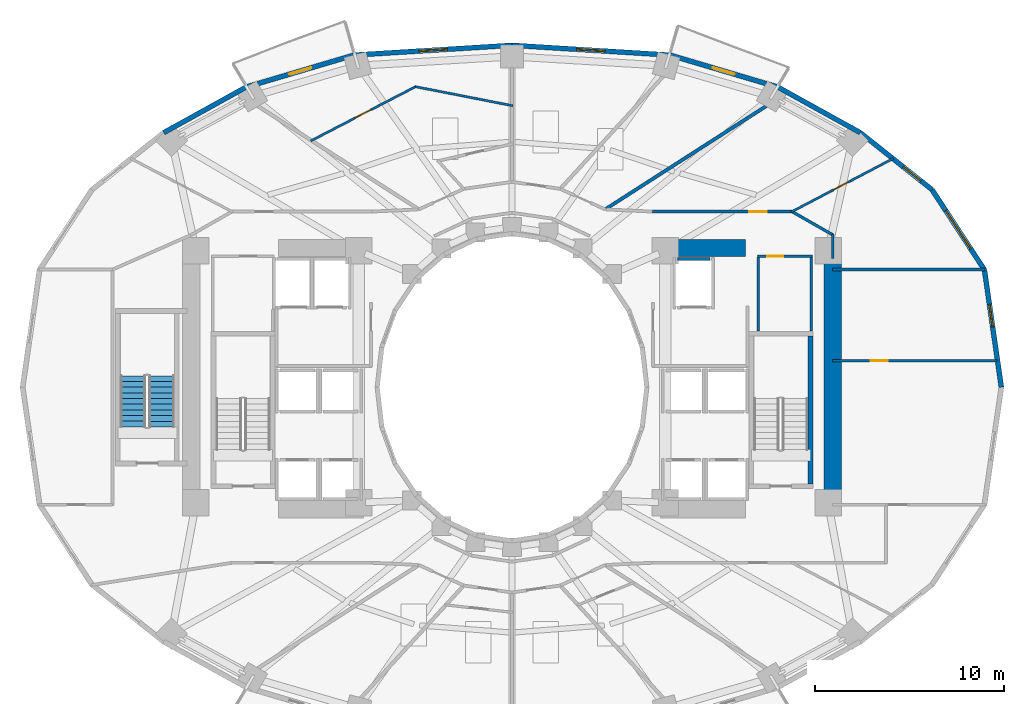
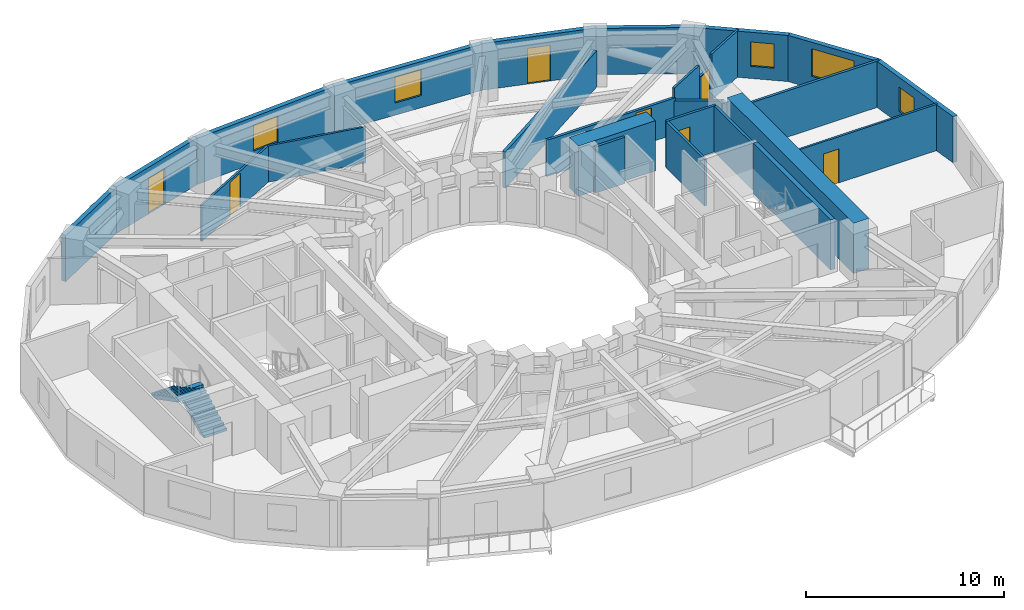
# One storey, part 7 of 11: 27 walls, 7 doors, 5 windows, 2 stair flights, 12 openings, 1 element without a shape of its own.
"""IFC4 building model written with IfcOpenShell, lengths in metres."""

from ifc_helpers import new_model, si_unit, direction, frame, frame_2d, origin, place, context, subcontext, project, spatial, polyline, rectangle, outline, extrude, material, layer, layer_set, type_object, element, fill, aggregate, save


model = new_model("IFC4")

# Units and contexts
model_context = context("Model", 3, precision=1e-05, world=origin(), true_north=direction((0.0, 1.0)))
body_context = subcontext(model_context, "Body", "Model", "MODEL_VIEW")
ifc_project = project(units=[si_unit("LENGTHUNIT", "METRE"), si_unit("AREAUNIT", "SQUARE_METRE"), si_unit("VOLUMEUNIT", "CUBIC_METRE"), si_unit("PLANEANGLEUNIT", "RADIAN"), si_unit("MASSUNIT", "GRAM", prefix="KILO")], contexts=[model_context])

# Site, building, storey
site_placement = place(None, origin())
site = spatial("IfcSite", under=ifc_project, at=site_placement, CompositionType="ELEMENT")
building_placement = place(site_placement, origin())
building = spatial("IfcBuilding", under=site, at=building_placement, Name="Solvane Sanctuary Tower", CompositionType="ELEMENT")
storey_placement = place(building_placement, frame((0.0, 0.0, 49.300048828125)))
storey = spatial("IfcBuildingStorey", under=building, at=storey_placement, Name="L14", CompositionType="ELEMENT", Elevation=49.300048828125)

# Walls
ifc_material_1 = material(Name="Concrete C70/85", Category="concrete")
ifc_layer_1 = layer(ifc_material_1, 0.89990234375, Name="Concrete C70/85")
ifc_layer_set_1 = layer_set([ifc_layer_1], Name="Concrete C70/85")
wall_type_1 = type_object("IfcWallType", Name="Wall W-CORE-900", PredefinedType="SHEAR", material=ifc_layer_set_1)
wall_1_placement = place(storey_placement, frame((48.949951171875, 17.050048828125, 0.0), z_axis=(0.0, 0.0, 1.0), x_axis=(0.0, 1.0, 0.0)))
element("IfcWall", 1, at=wall_1_placement, inside=storey, type_object=wall_type_1, Name="L14 Core Shear Wall EC-E", PredefinedType="SHEAR", context=body_context, shape_type="SweptSolid", body=[
    extrude(rectangle(XDim=12.800048828125, YDim=0.89990234375, at=frame_2d((6.39990234375, 0.0))), origin(), (0.0, 0.0, 1.0), 3.099853515625),
])
wall_2_placement = place(storey_placement, frame((39.85009765625, 30.35009765625, 0.0), z_axis=(0.0, 0.0, 1.0), x_axis=(1.0, 0.0, 0.0)))
element("IfcWall", 2, at=wall_2_placement, inside=storey, type_object=wall_type_1, Name="L14 Core Shear Wall EC-N", PredefinedType="SHEAR", context=body_context, shape_type="SweptSolid", body=[
    extrude(rectangle(XDim=4.5, YDim=0.89990234375, at=frame_2d((2.25, 0.0))), origin(), (0.0, 0.0, 1.0), 3.099853515625),
])
ifc_material_2 = material(Name="Acoustic Gypsum Partition Board")
ifc_layer_2 = layer(ifc_material_2, 0.14990234375, Name="Acoustic Gypsum Partition Board")
ifc_layer_set_2 = layer_set([ifc_layer_2], Name="Acoustic Gypsum Partition Board")
wall_type_2 = type_object("IfcWallType", Name="Wall W-CORR-150", PredefinedType="PARTITIONING", material=ifc_layer_set_2)
wall_3_placement = place(storey_placement, frame((48.949951171875, 29.211669921875, 0.0), z_axis=(0.0, 0.0, 1.0), x_axis=(1.0, 0.0, 0.0)))
element("IfcWall", 3, at=wall_3_placement, inside=storey, type_object=wall_type_2, Name="L14 East Shoulder North Wall", PredefinedType="PARTITIONING", context=body_context, shape_type="SweptSolid", body=[
    extrude(rectangle(XDim=8.036376953125, YDim=0.14990234375, at=frame_2d((4.01806640625, 0.0))), origin(), (0.0, 0.0, 1.0), 2.85498046875),
])
wall_4_placement = place(storey_placement, frame((48.949951171875, 29.800048828125, 0.0), z_axis=(0.0, 0.0, 1.0), x_axis=(0.0, 1.0, 0.0)))
element("IfcWall", 4, at=wall_4_placement, inside=storey, type_object=wall_type_2, Name="L14 NE Corner Closer 1", PredefinedType="PARTITIONING", context=body_context, shape_type="SweptSolid", body=[
    extrude(rectangle(XDim=1.2900390625, YDim=0.14990234375, at=frame_2d((0.64501953125, 0.0))), origin(), (0.0, 0.0, 1.0), 2.06884765625),
])

# Wall, opening, door
wall_5_placement = place(storey_placement, frame((39.330078125, 32.280029296875, 0.0), z_axis=(0.0, 0.0, 1.0), x_axis=(1.0, 0.0, 0.0)))
wall_5 = element("IfcWall", 5, at=wall_5_placement, inside=storey, type_object=wall_type_2, Name="L14 NE Corner Corridor Wall", PredefinedType="PARTITIONING", context=body_context, shape_type="SweptSolid", body=[
    extrude(rectangle(XDim=7.52001953125, YDim=0.14990234375, at=frame_2d((3.760009765625, 0.0))), origin(), (0.0, 0.0, 1.0), 2.237060546875),
])
opening_1_placement = place(wall_5_placement, frame((5.219970703125, 0.0, 0.0)))
opening_1 = element("IfcOpeningElement", 6, at=opening_1_placement, cuts=wall_5, Name="Opening D-L14-16", PredefinedType="OPENING", context=body_context, shape_type="SweptSolid", body=[
    extrude(rectangle(XDim=0.89990234375, YDim=2.10009765625, at=frame_2d((0.449951171875, 1.050048828125))), frame((0.0, 0.0849609375, 0.0), z_axis=(0.0, -1.0, 0.0), x_axis=(1.0, 0.0, 0.0)), (0.0, 0.0, 1.0), 0.169921875),
])
ifc_material_3 = material(Name="Engineered Tropical Hardwood", Category="wood")
door_type_1 = type_object("IfcDoorType", Name="Door D-WET-900", OperationType="NOTDEFINED", PredefinedType="DOOR", material=ifc_material_3)
door_1_placement = place(opening_1_placement, origin())
door_1 = element("IfcDoor", 7, at=door_1_placement, inside=storey, type_object=door_type_1, Name="L14 NE Corner Salon Door", OperationType="SINGLE_SWING_RIGHT", OverallHeight=2.10009765625, OverallWidth=0.89990234375, PredefinedType="DOOR", context=body_context, shape_type="SweptSolid", body=[
    extrude(rectangle(XDim=0.89990234375, YDim=2.10009765625, at=frame_2d((0.449951171875, 1.050048828125))), frame((0.0, 0.02490234375, 0.0), z_axis=(0.0, -1.0, 0.0), x_axis=(1.0, 0.0, 0.0)), (0.0, 0.0, 1.0), 0.050048828125),
])
fill(opening_1, door_1)

# Wall
wall_6_placement = place(storey_placement, frame((46.756591796875, 32.3046875, 0.0), z_axis=(0.0, 0.0, 1.0), x_axis=(0.867991349648, -0.496579315857, 0.0)))
element("IfcWall", 8, at=wall_6_placement, inside=storey, type_object=wall_type_2, Name="L14 NE Corner Wing Wall", PredefinedType="PARTITIONING", context=body_context, shape_type="SweptSolid", body=[
    extrude(rectangle(XDim=2.56689453125, YDim=0.14990234375, at=frame_2d((1.283447265625, 0.0))), origin(), (0.0, 0.0, 1.0), 2.06884765625),
])

# Wall, opening, window
ifc_material_4 = material(Name="Precast concrete C40/50", Category="concrete")
ifc_layer_3 = layer(ifc_material_4, 0.260009765625, Name="Precast concrete C40/50")
ifc_layer_set_3 = layer_set([ifc_layer_3], Name="Precast concrete C40/50")
wall_type_3 = type_object("IfcWallType", Name="Wall W-EXT-250", PredefinedType="STANDARD", material=ifc_layer_set_3)
wall_7_placement = place(storey_placement, frame((57.860107421875, 23.0, 0.0), z_axis=(0.0, 0.0, 1.0), x_axis=(-0.142528001686, 0.989790770181, 0.0)))
wall_7 = element("IfcWall", 9, at=wall_7_placement, inside=storey, type_object=wall_type_3, Name="L14 Ceramic-Printed Facade Wall 00", PredefinedType="STANDARD", context=body_context, shape_type="SweptSolid", body=[
    extrude(rectangle(XDim=6.269287109375, YDim=0.260009765625, at=frame_2d((3.134765625, 0.0))), origin(), (0.0, 0.0, 1.0), 2.849853515625),
])
opening_2_placement = place(wall_7_placement, frame((3.216796875, 0.0, 0.75)))
opening_2 = element("IfcOpeningElement", 10, at=opening_2_placement, cuts=wall_7, Name="Opening WN-OPER-1200", PredefinedType="OPENING", context=body_context, shape_type="SweptSolid", body=[
    extrude(rectangle(XDim=1.199951171875, YDim=1.5, at=frame_2d((0.60009765625, 0.75))), frame((0.0, 0.139892578125, 0.0), z_axis=(0.0, -1.0, 0.0), x_axis=(1.0, 0.0, 0.0)), (0.0, 0.0, 1.0), 0.280029296875),
])
ifc_material_5 = material(Name="Dark Ceramic-Fritted Low-E Glass", Category="glass")
window_type_1 = type_object("IfcWindowType", Name="Window WN-OPER-1200", PartitioningType="SINGLE_PANEL", PredefinedType="WINDOW", material=ifc_material_5)
window_1_placement = place(opening_2_placement, origin())
window_1 = element("IfcWindow", 11, at=window_1_placement, inside=storey, type_object=window_type_1, Name="L14 Operable Facade Window 00", OverallHeight=1.5, OverallWidth=1.199951171875, PartitioningType="SINGLE_PANEL", PredefinedType="WINDOW", context=body_context, shape_type="SweptSolid", body=[
    extrude(rectangle(XDim=1.199951171875, YDim=1.5, at=frame_2d((0.60009765625, 0.75))), frame((0.0, 0.030029296875, 0.0), z_axis=(0.0, -1.0, 0.0), x_axis=(1.0, 0.0, 0.0)), (0.0, 0.0, 1.0), 0.06005859375),
])
fill(opening_2, window_1)

wall_8_placement = place(storey_placement, frame((56.966552734375, 29.205322265625, 0.0), z_axis=(0.0, 0.0, 1.0), x_axis=(-0.547702757047, 0.836672988642, 0.0)))
wall_8 = element("IfcWall", 12, at=wall_8_placement, inside=storey, type_object=wall_type_3, Name="L14 Ceramic-Printed Facade Wall 01", PredefinedType="STANDARD", context=body_context, shape_type="SweptSolid", body=[
    extrude(rectangle(XDim=5.0625, YDim=0.260009765625, at=frame_2d((2.53125, 0.0))), origin(), (0.0, 0.0, 1.0), 2.849853515625),
])
opening_3_placement = place(wall_8_placement, frame((1.331298828125, 0.0, 0.75)))
opening_3 = element("IfcOpeningElement", 13, at=opening_3_placement, cuts=wall_8, Name="Opening WN-RIB-2400", PredefinedType="OPENING", context=body_context, shape_type="SweptSolid", body=[
    extrude(rectangle(XDim=2.39990234375, YDim=1.699951171875, at=frame_2d((1.199951171875, 0.85009765625))), frame((0.0, 0.139892578125, 0.0), z_axis=(0.0, -1.0, 0.0), x_axis=(1.0, 0.0, 0.0)), (0.0, 0.0, 1.0), 0.280029296875),
])
window_type_2 = type_object("IfcWindowType", Name="Window WN-RIB-2400", PartitioningType="SINGLE_PANEL", PredefinedType="WINDOW", material=ifc_material_5)
window_2_placement = place(opening_3_placement, origin())
window_2 = element("IfcWindow", 14, at=window_2_placement, inside=storey, type_object=window_type_2, Name="L14 Operable Facade Window 01", OverallHeight=1.699951171875, OverallWidth=2.39990234375, PartitioningType="SINGLE_PANEL", PredefinedType="WINDOW", context=body_context, shape_type="SweptSolid", body=[
    extrude(rectangle(XDim=2.39990234375, YDim=1.699951171875, at=frame_2d((1.199951171875, 0.85009765625))), frame((0.0, 0.030029296875, 0.0), z_axis=(0.0, -1.0, 0.0), x_axis=(1.0, 0.0, 0.0)), (0.0, 0.0, 1.0), 0.06005859375),
])
fill(opening_3, window_2)

wall_9_placement = place(storey_placement, frame((54.19384765625, 33.44091796875, 0.0), z_axis=(0.0, 0.0, 1.0), x_axis=(-0.783123133379, 0.621866672179, 0.0)))
wall_9 = element("IfcWall", 15, at=wall_9_placement, inside=storey, type_object=wall_type_3, Name="L14 Ceramic-Printed Facade Wall 02", PredefinedType="STANDARD", context=body_context, shape_type="SweptSolid", body=[
    extrude(rectangle(XDim=4.838623046875, YDim=0.260009765625, at=frame_2d((2.41943359375, 0.0))), origin(), (0.0, 0.0, 1.0), 2.849853515625),
])
opening_4_placement = place(wall_9_placement, frame((0.740966796875, 0.0, 0.75)))
opening_4 = element("IfcOpeningElement", 16, at=opening_4_placement, cuts=wall_9, Name="Opening WN-OPER-1200", PredefinedType="OPENING", context=body_context, shape_type="SweptSolid", body=[
    extrude(rectangle(XDim=1.199951171875, YDim=1.5, at=frame_2d((0.60009765625, 0.75))), frame((0.0, 0.139892578125, 0.0), z_axis=(0.0, -1.0, 0.0), x_axis=(1.0, 0.0, 0.0)), (0.0, 0.0, 1.0), 0.280029296875),
])
window_3_placement = place(opening_4_placement, origin())
window_3 = element("IfcWindow", 17, at=window_3_placement, inside=storey, type_object=window_type_1, Name="L14 Operable Facade Window 02", OverallHeight=1.5, OverallWidth=1.199951171875, PartitioningType="SINGLE_PANEL", PredefinedType="WINDOW", context=body_context, shape_type="SweptSolid", body=[
    extrude(rectangle(XDim=1.199951171875, YDim=1.5, at=frame_2d((0.60009765625, 0.75))), frame((0.0, 0.030029296875, 0.0), z_axis=(0.0, -1.0, 0.0), x_axis=(1.0, 0.0, 0.0)), (0.0, 0.0, 1.0), 0.06005859375),
])
fill(opening_4, window_3)

# Wall
wall_10_placement = place(storey_placement, frame((50.404541015625, 36.449951171875, 0.0), z_axis=(0.0, 0.0, 1.0), x_axis=(-0.875137303239, 0.483874674352, 0.0)))
element("IfcWall", 18, at=wall_10_placement, inside=storey, type_object=wall_type_3, Name="L14 Ceramic-Printed Facade Wall 03", PredefinedType="STANDARD", context=body_context, shape_type="SweptSolid", body=[
    extrude(rectangle(XDim=4.985107421875, YDim=0.260009765625, at=frame_2d((2.49267578125, 0.0))), origin(), (0.0, 0.0, 1.0), 2.849853515625),
])

# Wall, opening, door
wall_11_placement = place(storey_placement, frame((46.0419921875, 38.862060546875, 0.0), z_axis=(0.0, 0.0, 1.0), x_axis=(-0.958843593522, 0.283934786811, 0.0)))
wall_11 = element("IfcWall", 19, at=wall_11_placement, inside=storey, type_object=wall_type_3, Name="L14 Balcony Facade Wall N1", PredefinedType="STANDARD", context=body_context, shape_type="SweptSolid", body=[
    extrude(rectangle(XDim=5.955322265625, YDim=0.260009765625, at=frame_2d((2.9775390625, 0.0))), origin(), (0.0, 0.0, 1.0), 2.8798828125),
])
opening_5_placement = place(wall_11_placement, frame((2.377685546875, 0.0, 0.0)))
opening_5 = element("IfcOpeningElement", 20, at=opening_5_placement, cuts=wall_11, Name="Opening D-L14-01", PredefinedType="OPENING", context=body_context, shape_type="SweptSolid", body=[
    extrude(rectangle(XDim=1.199951171875, YDim=2.199951171875, at=frame_2d((0.60009765625, 1.10009765625))), frame((0.0, 0.139892578125, 0.0), z_axis=(0.0, -1.0, 0.0), x_axis=(1.0, 0.0, 0.0)), (0.0, 0.0, 1.0), 0.280029296875),
])
ifc_material_6 = material(Name="Anodised Aluminium 6063-T6", Category="aluminium")
door_type_2 = type_object("IfcDoorType", Name="Door D-BALC-1200", OperationType="NOTDEFINED", PredefinedType="DOOR", material=ifc_material_6)
door_2_placement = place(opening_5_placement, origin())
door_2 = element("IfcDoor", 21, at=door_2_placement, inside=storey, type_object=door_type_2, Name="L14 Glazed Balcony Door N1", OperationType="SINGLE_SWING_RIGHT", OverallHeight=2.199951171875, OverallWidth=1.199951171875, PredefinedType="DOOR", context=body_context, shape_type="SweptSolid", body=[
    extrude(rectangle(XDim=1.199951171875, YDim=2.199951171875, at=frame_2d((0.60009765625, 1.10009765625))), frame((0.0, 0.02490234375, 0.0), z_axis=(0.0, -1.0, 0.0), x_axis=(1.0, 0.0, 0.0)), (0.0, 0.0, 1.0), 0.050048828125),
])
fill(opening_5, door_2)

# Wall, opening, window
wall_12_placement = place(storey_placement, frame((40.331787109375, 40.552978515625, 0.0), z_axis=(0.0, 0.0, 1.0), x_axis=(-0.998090514779, 0.061768311519, 0.0)))
wall_12 = element("IfcWall", 22, at=wall_12_placement, inside=storey, type_object=wall_type_3, Name="L14 Ceramic-Printed Facade Wall 05", PredefinedType="STANDARD", context=body_context, shape_type="SweptSolid", body=[
    extrude(rectangle(XDim=8.34765625, YDim=0.260009765625, at=frame_2d((4.173828125, 0.0))), origin(), (0.0, 0.0, 1.0), 2.849853515625),
])
opening_6_placement = place(wall_12_placement, frame((3.423828125, 0.0, 0.75)))
opening_6 = element("IfcOpeningElement", 23, at=opening_6_placement, cuts=wall_12, Name="Opening WN-OPER-1500", PredefinedType="OPENING", context=body_context, shape_type="SweptSolid", body=[
    extrude(rectangle(XDim=1.5, YDim=1.60009765625, at=frame_2d((0.75, 0.800048828125))), frame((0.0, 0.139892578125, 0.0), z_axis=(0.0, -1.0, 0.0), x_axis=(1.0, 0.0, 0.0)), (0.0, 0.0, 1.0), 0.280029296875),
])
window_type_3 = type_object("IfcWindowType", Name="Window WN-OPER-1500", PartitioningType="SINGLE_PANEL", PredefinedType="WINDOW", material=ifc_material_5)
window_4_placement = place(opening_6_placement, origin())
window_4 = element("IfcWindow", 24, at=window_4_placement, inside=storey, type_object=window_type_3, Name="L14 Operable Facade Window 05", OverallHeight=1.60009765625, OverallWidth=1.5, PartitioningType="SINGLE_PANEL", PredefinedType="WINDOW", context=body_context, shape_type="SweptSolid", body=[
    extrude(rectangle(XDim=1.5, YDim=1.60009765625, at=frame_2d((0.75, 0.800048828125))), frame((0.0, 0.030029296875, 0.0), z_axis=(0.0, -1.0, 0.0), x_axis=(1.0, 0.0, 0.0)), (0.0, 0.0, 1.0), 0.06005859375),
])
fill(opening_6, window_4)

wall_13_placement = place(storey_placement, frame((32.0, 41.068603515625, 0.0), z_axis=(0.0, 0.0, 1.0), x_axis=(-0.998090514779, -0.061768311519, 0.0)))
wall_13 = element("IfcWall", 25, at=wall_13_placement, inside=storey, type_object=wall_type_3, Name="L14 Ceramic-Printed Facade Wall 06", PredefinedType="STANDARD", context=body_context, shape_type="SweptSolid", body=[
    extrude(rectangle(XDim=8.34765625, YDim=0.260009765625, at=frame_2d((4.173828125, 0.0))), origin(), (0.0, 0.0, 1.0), 2.849853515625),
])
opening_7_placement = place(wall_13_placement, frame((3.423828125, 0.0, 0.75)))
opening_7 = element("IfcOpeningElement", 26, at=opening_7_placement, cuts=wall_13, Name="Opening WN-OPER-1500", PredefinedType="OPENING", context=body_context, shape_type="SweptSolid", body=[
    extrude(rectangle(XDim=1.5, YDim=1.60009765625, at=frame_2d((0.75, 0.800048828125))), frame((0.0, 0.139892578125, 0.0), z_axis=(0.0, -1.0, 0.0), x_axis=(1.0, 0.0, 0.0)), (0.0, 0.0, 1.0), 0.280029296875),
])
window_5_placement = place(opening_7_placement, origin())
window_5 = element("IfcWindow", 27, at=window_5_placement, inside=storey, type_object=window_type_3, Name="L14 Operable Facade Window 06", OverallHeight=1.60009765625, OverallWidth=1.5, PartitioningType="SINGLE_PANEL", PredefinedType="WINDOW", context=body_context, shape_type="SweptSolid", body=[
    extrude(rectangle(XDim=1.5, YDim=1.60009765625, at=frame_2d((0.75, 0.800048828125))), frame((0.0, 0.030029296875, 0.0), z_axis=(0.0, -1.0, 0.0), x_axis=(1.0, 0.0, 0.0)), (0.0, 0.0, 1.0), 0.06005859375),
])
fill(opening_7, window_5)

# Wall, opening, door
wall_14_placement = place(storey_placement, frame((23.668212890625, 40.552978515625, 0.0), z_axis=(0.0, 0.0, 1.0), x_axis=(-0.958843593522, -0.283934786811, 0.0)))
wall_14 = element("IfcWall", 28, at=wall_14_placement, inside=storey, type_object=wall_type_3, Name="L14 Balcony Facade Wall N2", PredefinedType="STANDARD", context=body_context, shape_type="SweptSolid", body=[
    extrude(rectangle(XDim=5.955322265625, YDim=0.260009765625, at=frame_2d((2.9775390625, 0.0))), origin(), (0.0, 0.0, 1.0), 2.8798828125),
])
opening_8_placement = place(wall_14_placement, frame((2.377685546875, 0.0, 0.0)))
opening_8 = element("IfcOpeningElement", 29, at=opening_8_placement, cuts=wall_14, Name="Opening D-L14-02", PredefinedType="OPENING", context=body_context, shape_type="SweptSolid", body=[
    extrude(rectangle(XDim=1.199951171875, YDim=2.199951171875, at=frame_2d((0.60009765625, 1.10009765625))), frame((0.0, 0.139892578125, 0.0), z_axis=(0.0, -1.0, 0.0), x_axis=(1.0, 0.0, 0.0)), (0.0, 0.0, 1.0), 0.280029296875),
])
door_3_placement = place(opening_8_placement, origin())
door_3 = element("IfcDoor", 30, at=door_3_placement, inside=storey, type_object=door_type_2, Name="L14 Glazed Balcony Door N2", OperationType="SINGLE_SWING_LEFT", OverallHeight=2.199951171875, OverallWidth=1.199951171875, PredefinedType="DOOR", context=body_context, shape_type="SweptSolid", body=[
    extrude(rectangle(XDim=1.199951171875, YDim=2.199951171875, at=frame_2d((0.60009765625, 1.10009765625))), frame((0.0, 0.02490234375, 0.0), z_axis=(0.0, -1.0, 0.0), x_axis=(1.0, 0.0, 0.0)), (0.0, 0.0, 1.0), 0.050048828125),
])
fill(opening_8, door_3)

# Wall
wall_15_placement = place(storey_placement, frame((17.9580078125, 38.862060546875, 0.0), z_axis=(0.0, 0.0, 1.0), x_axis=(-0.875137303239, -0.483874674352, 0.0)))
element("IfcWall", 31, at=wall_15_placement, inside=storey, type_object=wall_type_3, Name="L14 Ceramic-Printed Facade Wall 08", PredefinedType="STANDARD", context=body_context, shape_type="SweptSolid", body=[
    extrude(rectangle(XDim=4.985107421875, YDim=0.260009765625, at=frame_2d((2.49267578125, 0.0))), origin(), (0.0, 0.0, 1.0), 2.849853515625),
])

# Wall, opening, door
ifc_layer_4 = layer(ifc_material_2, 0.1201171875, Name="Acoustic Gypsum Partition Board")
ifc_layer_set_4 = layer_set([ifc_layer_4], Name="Acoustic Gypsum Partition Board")
wall_type_4 = type_object("IfcWallType", Name="Wall W-MOV-100", PredefinedType="MOVABLE", material=ifc_layer_set_4)
wall_16_placement = place(storey_placement, frame((48.949951171875, 24.39990234375, 0.0), z_axis=(0.0, 0.0, 1.0), x_axis=(1.0, 0.0, 0.0)))
wall_16 = element("IfcWall", 32, at=wall_16_placement, inside=storey, type_object=wall_type_4, Name="L14 East Suite Partition", PredefinedType="MOVABLE", context=body_context, shape_type="SweptSolid", body=[
    extrude(rectangle(XDim=8.668701171875, YDim=0.1201171875, at=frame_2d((4.33447265625, 0.0))), origin(), (0.0, 0.0, 1.0), 2.85498046875),
])
opening_9_placement = place(wall_16_placement, frame((2.0, 0.0, 0.0)))
opening_9 = element("IfcOpeningElement", 33, at=opening_9_placement, cuts=wall_16, Name="Opening D-L14-13", PredefinedType="OPENING", context=body_context, shape_type="SweptSolid", body=[
    extrude(rectangle(XDim=0.89990234375, YDim=2.10009765625, at=frame_2d((0.449951171875, 1.050048828125))), frame((0.0, 0.070068359375, 0.0), z_axis=(0.0, -1.0, 0.0), x_axis=(1.0, 0.0, 0.0)), (0.0, 0.0, 1.0), 0.14013671875),
])
door_4_placement = place(opening_9_placement, origin())
door_4 = element("IfcDoor", 34, at=door_4_placement, inside=storey, type_object=door_type_1, Name="L14 East Suite Internal Door", OperationType="SINGLE_SWING_LEFT", OverallHeight=2.10009765625, OverallWidth=0.89990234375, PredefinedType="DOOR", context=body_context, shape_type="SweptSolid", body=[
    extrude(rectangle(XDim=0.89990234375, YDim=2.10009765625, at=frame_2d((0.449951171875, 1.050048828125))), frame((0.0, 0.02490234375, 0.0), z_axis=(0.0, -1.0, 0.0), x_axis=(1.0, 0.0, 0.0)), (0.0, 0.0, 1.0), 0.050048828125),
])
fill(opening_9, door_4)

# Wall
wall_17_placement = place(storey_placement, frame((46.755615234375, 32.2568359375, 0.0), z_axis=(0.0, 0.0, 1.0), x_axis=(0.885586030676, 0.464475383924, 0.0)))
element("IfcWall", 35, at=wall_17_placement, inside=storey, type_object=wall_type_4, Name="L14 NE Corner Suite Partition", PredefinedType="MOVABLE", context=body_context, shape_type="SweptSolid", body=[
    extrude(rectangle(XDim=2.375732421875, YDim=0.1201171875, at=frame_2d((1.18798828125, 0.0))), origin(), (0.0, 0.0, 1.0), 2.85498046875),
])

# Wall, opening, door
wall_18_placement = place(storey_placement, frame((48.859619140625, 33.3603515625, 0.0), z_axis=(0.0, 0.0, 1.0), x_axis=(0.885447282698, 0.464739829972, 0.0)))
wall_18 = element("IfcWall", 36, at=wall_18_placement, inside=storey, type_object=wall_type_4, Name="L14 NE Corner Suite Partition", PredefinedType="MOVABLE", context=body_context, shape_type="SweptSolid", body=[
    extrude(rectangle(XDim=1.169921875, YDim=0.1201171875, at=frame_2d((0.5849609375, 0.0))), origin(), (0.0, 0.0, 1.0), 2.10986328125),
])
opening_10_placement = place(wall_18_placement, frame((0.159912109375, 0.0, 0.0)))
opening_10 = element("IfcOpeningElement", 37, at=opening_10_placement, cuts=wall_18, Name="Opening D-L14-15", PredefinedType="OPENING", context=body_context, shape_type="SweptSolid", body=[
    extrude(rectangle(XDim=0.85009765625, YDim=2.050048828125, at=frame_2d((0.425048828125, 1.02490234375))), frame((0.0, 0.070068359375, 0.0), z_axis=(0.0, -1.0, 0.0), x_axis=(1.0, 0.0, 0.0)), (0.0, 0.0, 1.0), 0.14013671875),
])
ifc_material_7 = material(Name="Architectural Stainless Steel 316", Category="steel")
door_type_3 = type_object("IfcDoorType", Name="Door D-RISER", OperationType="NOTDEFINED", PredefinedType="DOOR", material=ifc_material_7)
door_5_placement = place(opening_10_placement, origin())
door_5 = element("IfcDoor", 38, at=door_5_placement, inside=storey, type_object=door_type_3, Name="L14 NE Corner Suite Door", OperationType="SINGLE_SWING_LEFT", OverallHeight=2.050048828125, OverallWidth=0.85009765625, PredefinedType="DOOR", context=body_context, shape_type="SweptSolid", body=[
    extrude(rectangle(XDim=0.85009765625, YDim=2.050048828125, at=frame_2d((0.425048828125, 1.02490234375))), frame((0.0, 0.02490234375, 0.0), z_axis=(0.0, -1.0, 0.0), x_axis=(1.0, 0.0, 0.0)), (0.0, 0.0, 1.0), 0.050048828125),
])
fill(opening_10, door_5)

# Walls
wall_19_placement = place(storey_placement, frame((49.8955078125, 33.904052734375, 0.0), z_axis=(0.0, 0.0, 1.0), x_axis=(0.885573027611, 0.464500175208, 0.0)))
element("IfcWall", 39, at=wall_19_placement, inside=storey, type_object=wall_type_4, Name="L14 NE Corner Suite Partition", PredefinedType="MOVABLE", context=body_context, shape_type="SweptSolid", body=[
    extrude(rectangle(XDim=2.55224609375, YDim=0.1201171875, at=frame_2d((1.276123046875, 0.0))), origin(), (0.0, 0.0, 1.0), 2.85498046875),
])
wall_20_placement = place(storey_placement, frame((32.049072265625, 37.87109375, 0.0), z_axis=(0.0, 0.0, 1.0), x_axis=(-0.981343325718, 0.192263561471, 0.0)))
element("IfcWall", 40, at=wall_20_placement, inside=storey, type_object=wall_type_4, Name="L14 Suite Sitting Lounge Partition N3", PredefinedType="MOVABLE", context=body_context, shape_type="SweptSolid", body=[
    extrude(rectangle(XDim=5.254638671875, YDim=0.1201171875, at=frame_2d((2.62744140625, 0.0))), origin(), (0.0, 0.0, 1.0), 2.237060546875),
])

# Wall, opening, door
wall_21_placement = place(storey_placement, frame((26.911376953125, 38.884033203125, 0.0), z_axis=(0.0, 0.0, 1.0), x_axis=(-0.88815498257, -0.459544042433, 0.0)))
wall_21 = element("IfcWall", 41, at=wall_21_placement, inside=storey, type_object=wall_type_4, Name="L14 Suite Sitting Lounge Partition N3", PredefinedType="MOVABLE", context=body_context, shape_type="SweptSolid", body=[
    extrude(rectangle(XDim=6.2509765625, YDim=0.1201171875, at=frame_2d((3.12548828125, 0.0))), origin(), (0.0, 0.0, 1.0), 2.237060546875),
])
opening_11_placement = place(wall_21_placement, frame((2.650390625, 0.0, 0.0)))
opening_11 = element("IfcOpeningElement", 42, at=opening_11_placement, cuts=wall_21, Name="Opening D-L14-24", PredefinedType="OPENING", context=body_context, shape_type="SweptSolid", body=[
    extrude(rectangle(XDim=0.949951171875, YDim=2.10009765625, at=frame_2d((0.47509765625, 1.050048828125))), frame((0.0, 0.070068359375, 0.0), z_axis=(0.0, -1.0, 0.0), x_axis=(1.0, 0.0, 0.0)), (0.0, 0.0, 1.0), 0.14013671875),
])
door_type_4 = type_object("IfcDoorType", Name="Door D-ROOM-950", OperationType="NOTDEFINED", PredefinedType="DOOR", material=ifc_material_3)
door_6_placement = place(opening_11_placement, origin())
door_6 = element("IfcDoor", 43, at=door_6_placement, inside=storey, type_object=door_type_4, Name="L14 Suite Sitting Lounge Door N3", OperationType="SINGLE_SWING_RIGHT", OverallHeight=2.10009765625, OverallWidth=0.949951171875, PredefinedType="DOOR", context=body_context, shape_type="SweptSolid", body=[
    extrude(rectangle(XDim=0.949951171875, YDim=2.10009765625, at=frame_2d((0.47509765625, 1.050048828125))), frame((0.0, 0.02490234375, 0.0), z_axis=(0.0, -1.0, 0.0), x_axis=(1.0, 0.0, 0.0)), (0.0, 0.0, 1.0), 0.050048828125),
])
fill(opening_11, door_6)

# Walls
ifc_material_8 = material(Name="Concrete C50/60", Category="concrete")
ifc_layer_5 = layer(ifc_material_8, 0.14990234375, Name="Concrete C50/60")
ifc_layer_set_5 = layer_set([ifc_layer_5], Name="Concrete C50/60")
wall_type_5 = type_object("IfcWallType", Name="Wall W-SHAFT-150", PredefinedType="SOLIDWALL", material=ifc_layer_set_5)
wall_22_placement = place(storey_placement, frame((40.739990234375, 29.780029296875, 0.0), z_axis=(0.0, 0.0, 1.0), x_axis=(1.0, 0.0, 0.0)))
element("IfcWall", 44, at=wall_22_placement, inside=storey, type_object=wall_type_5, Name="L14 FFL-2 Lift Shaft Wall B", PredefinedType="SOLIDWALL", context=body_context, shape_type="SweptSolid", body=[
    extrude(rectangle(XDim=1.719970703125, YDim=0.14990234375, at=frame_2d((0.85986328125, 0.0))), origin(), (0.0, 0.0, 1.0), 2.85498046875),
])
ifc_layer_6 = layer(ifc_material_8, 0.25, Name="Concrete C50/60")
ifc_layer_set_6 = layer_set([ifc_layer_6], Name="Concrete C50/60")
wall_type_6 = type_object("IfcWallType", Name="Wall W-SHAFT-250", PredefinedType="SOLIDWALL", material=ifc_layer_set_6)
wall_23_placement = place(storey_placement, frame((47.77001953125, 17.89501953125, 0.0), z_axis=(0.0, 0.0, 1.0), x_axis=(0.0, 1.0, 0.0)))
element("IfcWall", 45, at=wall_23_placement, inside=storey, type_object=wall_type_6, Name="L14 ST-2 Load-Bearing Shaft Wall E", PredefinedType="SOLIDWALL", context=body_context, shape_type="SweptSolid", body=[
    extrude(rectangle(XDim=7.81005859375, YDim=0.25, at=frame_2d((3.905029296875, 0.0))), origin(), (0.0, 0.0, 1.0), 3.099853515625),
])
ifc_layer_7 = layer(ifc_material_2, 0.179931640625, Name="Acoustic Gypsum Partition Board")
ifc_layer_set_7 = layer_set([ifc_layer_7], Name="Acoustic Gypsum Partition Board")
wall_type_7 = type_object("IfcWallType", Name="Wall W-UNIT-180", PredefinedType="PARTITIONING", material=ifc_layer_set_7)
wall_24_placement = place(storey_placement, frame((36.97119140625, 32.426025390625, 0.0), z_axis=(0.0, 0.0, 1.0), x_axis=(0.841689919529, 0.5399611832, 0.0)))
element("IfcWall", 46, at=wall_24_placement, inside=storey, type_object=wall_type_7, Name="L14 Radial Compartment Wall 060", PredefinedType="PARTITIONING", context=body_context, shape_type="SweptSolid", body=[
    extrude(rectangle(XDim=10.058349609375, YDim=0.179931640625, at=frame_2d((5.029296875, 0.0))), origin(), (0.0, 0.0, 1.0), 2.237060546875),
])

# Wall, opening, door
ifc_layer_8 = layer(ifc_material_2, 0.139892578125, Name="Acoustic Gypsum Partition Board")
ifc_layer_set_8 = layer_set([ifc_layer_8], Name="Acoustic Gypsum Partition Board")
wall_type_8 = type_object("IfcWallType", Name="Wall W-WET-140", PredefinedType="PLUMBINGWALL", material=ifc_layer_set_8)
wall_25_placement = place(storey_placement, frame((44.97998046875, 29.919921875, 0.0), z_axis=(0.0, 0.0, 1.0), x_axis=(1.0, 0.0, 0.0)))
wall_25 = element("IfcWall", 47, at=wall_25_placement, inside=storey, type_object=wall_type_8, Name="L14 Core Service Front Wall KE0", PredefinedType="PLUMBINGWALL", context=body_context, shape_type="SweptSolid", body=[
    extrude(rectangle(XDim=2.89990234375, YDim=0.139892578125, at=frame_2d((1.449951171875, 0.0))), origin(), (0.0, 0.0, 1.0), 2.85498046875),
])
opening_12_placement = place(wall_25_placement, frame((0.515869140625, 0.0, 0.0)))
opening_12 = element("IfcOpeningElement", 48, at=opening_12_placement, cuts=wall_25, Name="Opening D-L14-11", PredefinedType="OPENING", context=body_context, shape_type="SweptSolid", body=[
    extrude(rectangle(XDim=0.85009765625, YDim=2.050048828125, at=frame_2d((0.425048828125, 1.02490234375))), frame((0.0, 0.079833984375, 0.0), z_axis=(0.0, -1.0, 0.0), x_axis=(1.0, 0.0, 0.0)), (0.0, 0.0, 1.0), 0.159912109375),
])
door_7_placement = place(opening_12_placement, origin())
door_7 = element("IfcDoor", 49, at=door_7_placement, inside=storey, type_object=door_type_3, Name="L14 Core Service Room Door KE0-1", OperationType="SINGLE_SWING_LEFT", OverallHeight=2.050048828125, OverallWidth=0.85009765625, PredefinedType="DOOR", context=body_context, shape_type="SweptSolid", body=[
    extrude(rectangle(XDim=0.85009765625, YDim=2.050048828125, at=frame_2d((0.425048828125, 1.02490234375))), frame((0.0, 0.02490234375, 0.0), z_axis=(0.0, -1.0, 0.0), x_axis=(1.0, 0.0, 0.0)), (0.0, 0.0, 1.0), 0.050048828125),
])
fill(opening_12, door_7)

# Walls
for number, where, z_axis, x_axis, name in (
    (50, (45.02001953125, 25.97998046875, 0.0), (0.0, 0.0, 1.0), (0.0, 1.0, 0.0), "L14 Core Service Side Wall KE0-1"),
    (51, (47.820068359375, 25.97998046875, 0.0), (0.0, 0.0, 1.0), (0.0, 1.0, 0.0), "L14 Core Service Side Wall KE0-2"),
):
    element("IfcWall", number, at=place(storey_placement, frame(where, z_axis=z_axis, x_axis=x_axis)), inside=storey, type_object=wall_type_8, Name=name, PredefinedType="PLUMBINGWALL", context=body_context, shape_type="SweptSolid", body=[
        extrude(rectangle(XDim=3.880126953125, YDim=0.139892578125, at=frame_2d((1.93994140625, 0.0))), origin(), (0.0, 0.0, 1.0), 2.85498046875),
    ])

# Stair, stair flights
ifc_material_9 = material(Name="Concrete C45/55", Category="concrete")
stair_type = type_object("IfcStairType", Name="Stair ST-TOW", PredefinedType="HALF_TURN_STAIR", material=ifc_material_9)
stair_placement = place(storey_placement, origin())
stair = element("IfcStair", 52, at=stair_placement, inside=storey, type_object=stair_type, Name="L14 Exit Stair ST-3 Pilgrim Tower Stair", PredefinedType="HALF_TURN_STAIR")
stair_flight_type = type_object("IfcStairFlightType", Name="StairFlight SF-TOW", PredefinedType="STRAIGHT", material=ifc_material_9)
stair_flight_1_placement = place(storey_placement, frame((13.485107421875, 20.89990234375, 0.0), z_axis=(0.0, 0.0, 1.0), x_axis=(0.0, 1.0, 0.0)))
stair_flight_1 = element("IfcStairFlight", 53, at=stair_flight_1_placement, type_object=stair_flight_type, Name="ST-3 flight 1", NumberOfRisers=10, NumberOfTreads=9, PredefinedType="STRAIGHT", RiserHeight=0.155, TreadLength=0.3, context=body_context, shape_type="SweptSolid", body=[
    extrude(outline(polyline([(0.0, 0.0), (0.0, 0.155029296875), (0.300048828125, 0.155029296875), (0.300048828125, 0.31005859375), (0.60009765625, 0.31005859375), (0.60009765625, 0.465087890625), (0.89990234375, 0.465087890625), (0.89990234375, 0.6201171875), (1.199951171875, 0.6201171875), (1.199951171875, 0.77490234375), (1.5, 0.77490234375), (1.5, 0.929931640625), (1.800048828125, 0.929931640625), (1.800048828125, 1.0849609375), (2.10009765625, 1.0849609375), (2.10009765625, 1.239990234375), (2.39990234375, 1.239990234375), (2.39990234375, 1.39501953125), (2.699951171875, 1.39501953125), (2.699951171875, 1.550048828125), (2.699951171875, 1.1923828125), (0.39208984375, 0.0), (0.0, 0.0)])), frame((0.0, 0.675048828125, 0.0), z_axis=(0.0, -1.0, 0.0), x_axis=(1.0, 0.0, 0.0)), (0.0, 0.0, 1.0), 1.35009765625),
])
stair_flight_2_placement = place(storey_placement, frame((11.97509765625, 23.60009765625, 1.550048828125), z_axis=(0.0, 0.0, 1.0), x_axis=(0.0, -1.0, 0.0)))
stair_flight_2 = element("IfcStairFlight", 54, at=stair_flight_2_placement, type_object=stair_flight_type, Name="ST-3 flight 2", NumberOfRisers=10, NumberOfTreads=9, PredefinedType="STRAIGHT", RiserHeight=0.155, TreadLength=0.3, context=body_context, shape_type="SweptSolid", body=[
    extrude(outline(polyline([(0.0, 0.0), (0.0, 0.155029296875), (0.300048828125, 0.155029296875), (0.300048828125, 0.31005859375), (0.60009765625, 0.31005859375), (0.60009765625, 0.465087890625), (0.89990234375, 0.465087890625), (0.89990234375, 0.6201171875), (1.199951171875, 0.6201171875), (1.199951171875, 0.77490234375), (1.5, 0.77490234375), (1.5, 0.929931640625), (1.800048828125, 0.929931640625), (1.800048828125, 1.0849609375), (2.10009765625, 1.0849609375), (2.10009765625, 1.239990234375), (2.39990234375, 1.239990234375), (2.39990234375, 1.39501953125), (2.699951171875, 1.39501953125), (2.699951171875, 1.550048828125), (2.699951171875, 1.1923828125), (0.39208984375, 0.0), (0.0, 0.0)])), frame((0.0, 0.675048828125, 0.0), z_axis=(0.0, -1.0, 0.0), x_axis=(1.0, 0.0, 0.0)), (0.0, 0.0, 1.0), 1.35009765625),
])
aggregate(stair, [stair_flight_1, stair_flight_2])

save(model, "model.ifc")
